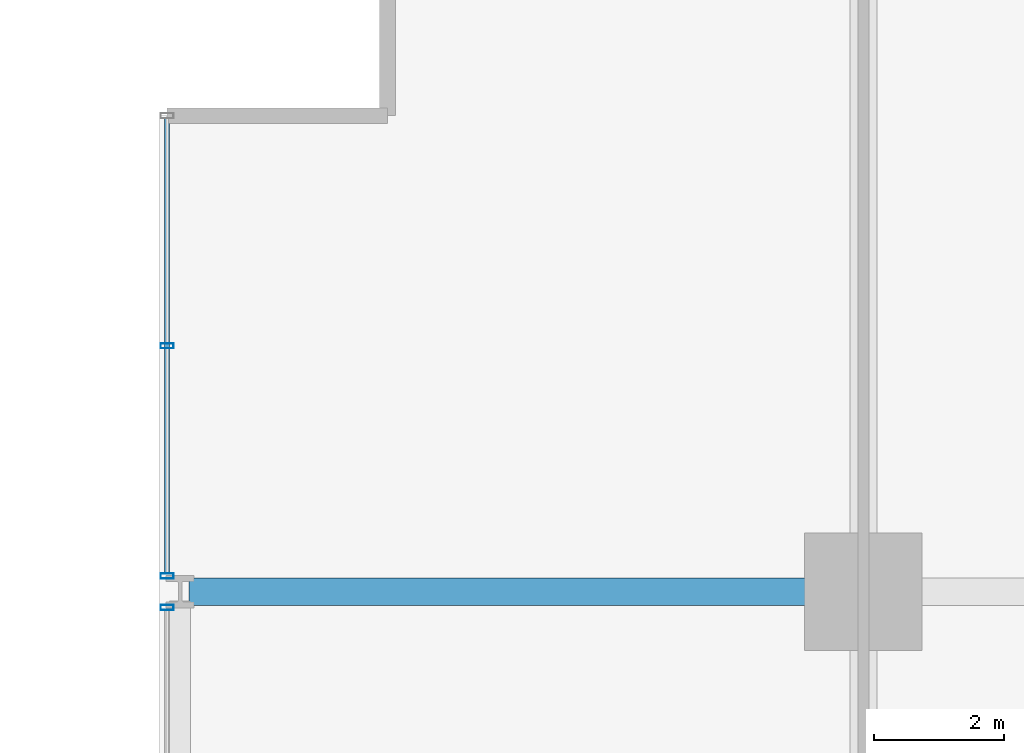
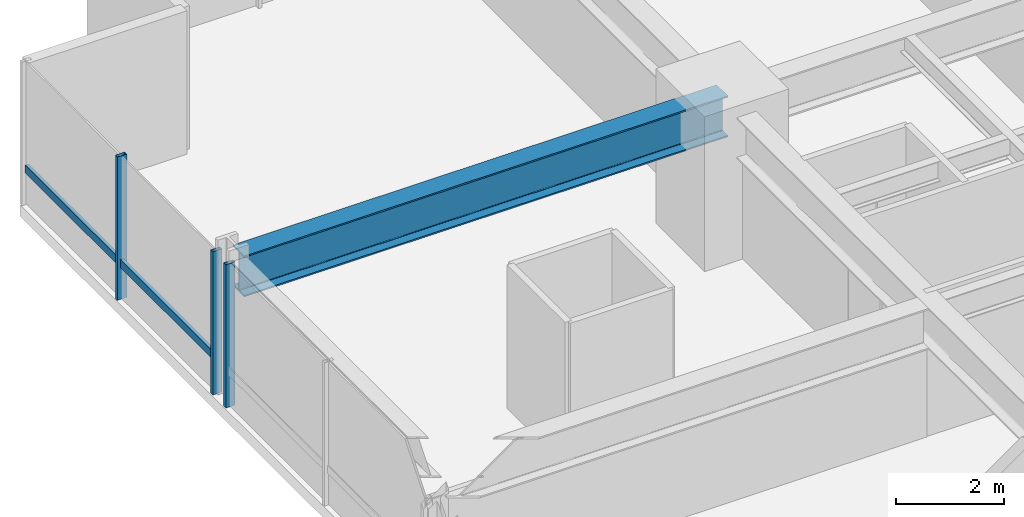
# One storey, part 19 of 38: 4 members, 1 beam, 2 elements without a shape of their own.
"""IFC4 building model written with IfcOpenShell, lengths in metres."""

from ifc_helpers import new_model, si_unit, direction, frame, origin, origin_2d, place, context, subcontext, project, spatial, hollow_rectangle, i_section, extrude, material, layer, layer_set, material_profile, profile_set, type_object, element, aggregate, save


model = new_model("IFC4")

# Units and contexts
model_context = context("Model", 3, precision=1e-05, world=origin(), true_north=direction((0.0, 1.0)))
body_context = subcontext(model_context, "Body", "Model", "MODEL_VIEW")
ifc_project = project(units=[si_unit("LENGTHUNIT", "METRE"), si_unit("AREAUNIT", "SQUARE_METRE"), si_unit("VOLUMEUNIT", "CUBIC_METRE"), si_unit("PLANEANGLEUNIT", "RADIAN"), si_unit("MASSUNIT", "GRAM", prefix="KILO")], contexts=[model_context])

# Site, building, storey
site_placement = place(None, origin())
site = spatial("IfcSite", under=ifc_project, at=site_placement, CompositionType="ELEMENT")
building_placement = place(site_placement, origin())
building = spatial("IfcBuilding", under=site, at=building_placement, Name="Drelvath Grand Hotel", CompositionType="ELEMENT")
storey_placement = place(building_placement, frame((0.0, 0.0, 57.699951171875)))
storey = spatial("IfcBuildingStorey", under=building, at=storey_placement, Name="L13", CompositionType="ELEMENT", Elevation=57.699951171875)

# Curtain wall, member
ifc_material_1 = material(Name="Warm Bronze Anodised Aluminium Frame", Category="aluminium")
ifc_layer = layer(ifc_material_1, 0.199951171875)
ifc_layer_set = layer_set([ifc_layer], Name="Warm Bronze Anodised Aluminium Frame")
curtain_wall_type = type_object("IfcCurtainWallType", Name="Stick Curtain Wall CW-02 Warm Bronze Low-Rise", PredefinedType="NOTDEFINED", material=ifc_layer_set)
curtain_wall_1_placement = place(storey_placement, origin())
curtain_wall_1 = element("IfcCurtainWall", 1, at=curtain_wall_1_placement, inside=storey, type_object=curtain_wall_type, Name="L13 CW-02 Curtain Wall CW02-L13-WN3", PredefinedType="NOTDEFINED")
ifc_material_profile_1 = material_profile(ifc_material_1, hollow_rectangle(XDim=0.074951171875, YDim=0.179931640625, WallThickness=0.0048828125, at=origin_2d()), Name="HSS180X75X5")
ifc_profile_set_1 = profile_set([ifc_material_profile_1], Name="Warm Bronze Anodised Aluminium Frame")
member_type_1 = type_object("IfcMemberType", Name="Curtain Wall Horizontal Transom CW-02 HSS180X75X5", PredefinedType="USERDEFINED", material=ifc_profile_set_1)
member_1_placement = place(storey_placement, frame((-26.8798828125, 43.48095703125, 0.81005859375), z_axis=(0.0, 1.0, 0.0), x_axis=(-1.0, 0.0, 0.0)))
member_1 = element("IfcMember", 2, at=member_1_placement, type_object=member_type_1, Name="CW02-L13-WN3 Sill Transom", ObjectType="TRANSOM", PredefinedType="USERDEFINED", context=body_context, shape_type="SweptSolid", body=[
    extrude(hollow_rectangle(XDim=0.074951171875, YDim=0.179931640625, WallThickness=0.0048828125, at=origin_2d()), origin(), (0.0, 0.0, 1.0), 6.97900390625),
])

curtain_wall_2_placement = place(storey_placement, origin())
curtain_wall_2 = element("IfcCurtainWall", 3, at=curtain_wall_2_placement, inside=storey, type_object=curtain_wall_type, Name="L13 CW-02 Curtain Wall CW02-L13-WN2", PredefinedType="NOTDEFINED")
ifc_material_profile_2 = material_profile(ifc_material_1, hollow_rectangle(XDim=0.080078125, YDim=0.199951171875, WallThickness=0.0048828125, at=origin_2d()), Name="HSS200X80X5")
ifc_profile_set_2 = profile_set([ifc_material_profile_2], Name="Warm Bronze Anodised Aluminium Frame")
member_type_2 = type_object("IfcMemberType", Name="Curtain Wall Vertical Mullion CW-02 HSS200X80X5", PredefinedType="MULLION", material=ifc_profile_set_2)
member_2_placement = place(storey_placement, frame((-26.8798828125, 42.958984375, 0.0), z_axis=(0.0, 0.0, 1.0), x_axis=(0.0, 1.0, 0.0)))
member_2 = element("IfcMember", 4, at=member_2_placement, type_object=member_type_2, Name="CW02-L13-WN2 Mullion 3", PredefinedType="MULLION", context=body_context, shape_type="SweptSolid", body=[
    extrude(hollow_rectangle(XDim=0.080078125, YDim=0.199951171875, WallThickness=0.0048828125, at=origin_2d()), origin(), (0.0, 0.0, 1.0), 3.239990234375),
])
aggregate(curtain_wall_2, [member_2])

# Member
member_3_placement = place(storey_placement, frame((-26.8798828125, 43.44091796875, 0.0), z_axis=(0.0, 0.0, 1.0), x_axis=(0.0, 1.0, 0.0)))
member_3 = element("IfcMember", 5, at=member_3_placement, type_object=member_type_2, Name="CW02-L13-WN3 Mullion 1", PredefinedType="MULLION", context=body_context, shape_type="SweptSolid", body=[
    extrude(hollow_rectangle(XDim=0.080078125, YDim=0.199951171875, WallThickness=0.0048828125, at=origin_2d()), origin(), (0.0, 0.0, 1.0), 3.239990234375),
])

member_4_placement = place(storey_placement, frame((-26.8798828125, 46.970458984375, 0.0), z_axis=(0.0, 0.0, 1.0), x_axis=(0.0, 1.0, 0.0)))
member_4 = element("IfcMember", 6, at=member_4_placement, type_object=member_type_2, Name="CW02-L13-WN3 Mullion 2", PredefinedType="MULLION", context=body_context, shape_type="SweptSolid", body=[
    extrude(hollow_rectangle(XDim=0.080078125, YDim=0.199951171875, WallThickness=0.0048828125, at=origin_2d()), origin(), (0.0, 0.0, 1.0), 3.239990234375),
])

aggregate(curtain_wall_1, [member_3, member_4, member_1])

# Beam
ifc_material_2 = material(Name="Steel ASTM A992 Gr 50", Category="steel")
ifc_material_profile_3 = material_profile(ifc_material_2, i_section(OverallWidth=0.418212890625, OverallDepth=0.926513671875, WebThickness=0.019287109375, FlangeThickness=0.031982421875, FilletRadius=0.028076171875, at=origin_2d()), Name="W36X231")
ifc_profile_set_3 = profile_set([ifc_material_profile_3], Name="Steel ASTM A992 Gr 50")
beam_type = type_object("IfcBeamType", Name="Primary Floor Girder W36X231", PredefinedType="BEAM", material=ifc_profile_set_3)
beam_placement = place(storey_placement, frame((-26.5400390625, 43.199951171875, 2.77685546875), z_axis=(1.0, 0.0, 0.0), x_axis=(0.0, 1.0, 0.0)))
element("IfcBeam", 7, at=beam_placement, inside=storey, type_object=beam_type, Name="L13 West Grid Girder G", PredefinedType="BEAM", context=body_context, shape_type="SweptSolid", body=[
    extrude(i_section(OverallWidth=0.418212890625, OverallDepth=0.926513671875, WebThickness=0.019287109375, FlangeThickness=0.031982421875, FilletRadius=0.028076171875, at=origin_2d()), origin(), (0.0, 0.0, 1.0), 10.340087890625),
])

save(model, "model.ifc")
